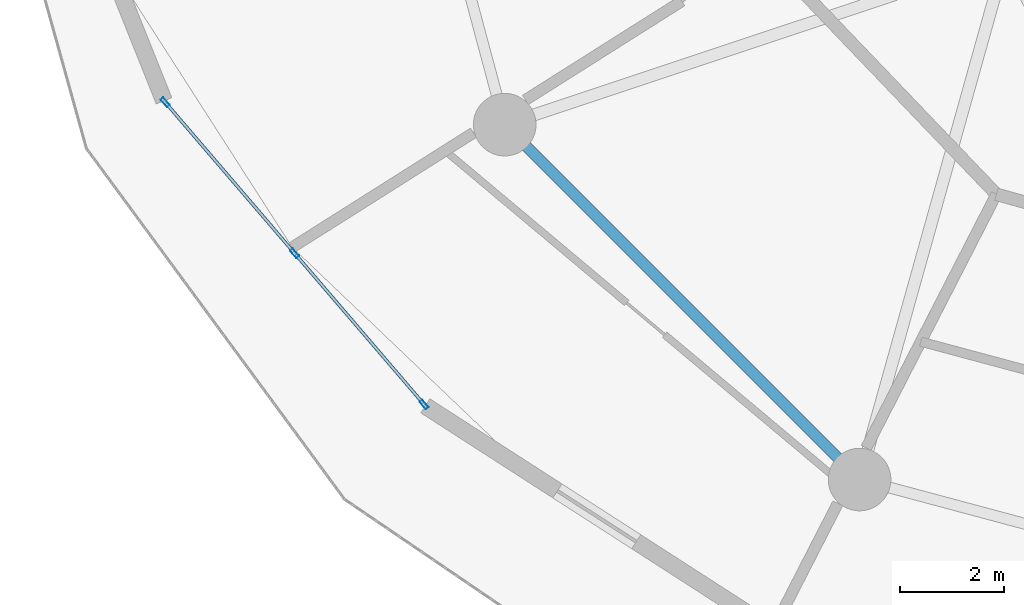
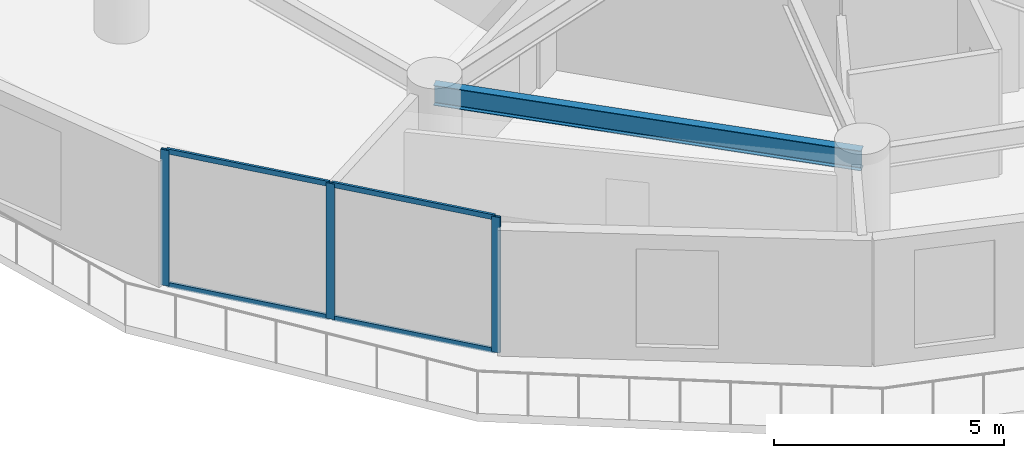
# One storey, part 2 of 23: 7 members, 1 beam, 1 element without a shape of its own.
"""IFC4 building model written with IfcOpenShell, lengths in metres."""

from ifc_helpers import new_model, si_unit, direction, frame, origin, origin_2d, place, context, subcontext, project, spatial, hollow_rectangle, i_section, extrude, source, transform, mapped, material, layer, layer_set, material_profile, profile_set, type_object, element, aggregate, save


model = new_model("IFC4")

# Units and contexts
model_context = context("Model", 3, precision=1e-05, world=origin(), true_north=direction((0.0, 1.0)))
body_context = subcontext(model_context, "Body", "Model", "MODEL_VIEW")
ifc_project = project(units=[si_unit("LENGTHUNIT", "METRE"), si_unit("AREAUNIT", "SQUARE_METRE"), si_unit("VOLUMEUNIT", "CUBIC_METRE"), si_unit("PLANEANGLEUNIT", "RADIAN"), si_unit("MASSUNIT", "GRAM", prefix="KILO")], contexts=[model_context])

# Site, building, storey
site_placement = place(None, origin())
site = spatial("IfcSite", under=ifc_project, at=site_placement, CompositionType="ELEMENT")
building_placement = place(site_placement, origin())
building = spatial("IfcBuilding", under=site, at=building_placement, Name="Solvirekh Grand Hotel", CompositionType="ELEMENT")
storey_placement = place(building_placement, frame((0.0, 0.0, 46.39990234375)))
storey = spatial("IfcBuildingStorey", under=building, at=storey_placement, Name="L10", CompositionType="ELEMENT", Elevation=46.39990234375)

# Beam
ifc_material_1 = material(Name="Steel S355", Category="steel")
ifc_material_profile_1 = material_profile(ifc_material_1, i_section(OverallWidth=0.208984375, OverallDepth=0.532958984375, WebThickness=0.010009765625, FlangeThickness=0.014892578125, FilletRadius=0.013916015625, at=origin_2d()), Name="W530X92")
ifc_profile_set_1 = profile_set([ifc_material_profile_1], Name="Steel S355")
beam_type = type_object("IfcBeamType", Name="Spandrel_Ring_W530", PredefinedType="SPANDREL", material=ifc_profile_set_1)
beam_placement = place(storey_placement, frame((-16.10791015625, -9.300048828125, 3.07421875), z_axis=(0.707106781187, -0.707106781187, 0.0), x_axis=(0.707106781187, 0.707106781187, 0.0)))
element("IfcBeam", 1, at=beam_placement, inside=storey, type_object=beam_type, Name="L10 perimeter spandrel beam 8", PredefinedType="SPANDREL", context=body_context, shape_type="SweptSolid", body=[
    extrude(i_section(OverallWidth=0.208984375, OverallDepth=0.532958984375, WebThickness=0.010009765625, FlangeThickness=0.014892578125, FilletRadius=0.013916015625, at=origin_2d()), origin(), (0.0, 0.0, 1.0), 9.627685546875),
])

# Curtain wall, members
ifc_material_2 = material(Name="Anodized Bronze Aluminium 6063-T6", Category="aluminium")
ifc_layer = layer(ifc_material_2, 0.18994140625)
ifc_layer_set = layer_set([ifc_layer], Name="Anodized Bronze Aluminium 6063-T6")
curtain_wall_type = type_object("IfcCurtainWallType", Name="CW_Sys2_LowZoneFlushBronzeCW", PredefinedType="NOTDEFINED", material=ifc_layer_set)
curtain_wall_placement = place(storey_placement, origin())
curtain_wall = element("IfcCurtainWall", 2, at=curtain_wall_placement, inside=storey, type_object=curtain_wall_type, Name="L10 unitised bronze-glass curtain wall CW-L10-C13", PredefinedType="NOTDEFINED")
ifc_material_profile_2 = material_profile(ifc_material_2, hollow_rectangle(XDim=0.070068359375, YDim=0.18994140625, WallThickness=0.0048828125, at=origin_2d()), Name="ALU RHS 190X70X5")
ifc_profile_set_2 = profile_set([ifc_material_profile_2], Name="Anodized Bronze Aluminium 6063-T6")
member_type_1 = type_object("IfcMemberType", Name="CWMullion_Sys2", PredefinedType="MULLION", material=ifc_profile_set_2)
shared_shape_1 = source(origin(), body_context, "Body", "SweptSolid", [
    extrude(hollow_rectangle(XDim=0.070068359375, YDim=0.18994140625, WallThickness=0.0048828125, at=origin_2d()), origin(), (0.0, 0.0, 1.0), 3.60009765625),
])
member_1_placement = place(storey_placement, frame((-22.621337890625, -8.86865234375, 0.0), z_axis=(0.0, 0.0, 1.0), x_axis=(0.75944894298, 0.650566908939, 0.0)))
member_1 = element("IfcMember", 3, at=member_1_placement, type_object=member_type_1, Name="U02 mullion 1", PredefinedType="MULLION", context=body_context, shape_type="MappedRepresentation", body=[
    mapped(shared_shape_1, transform((0.0, 0.0, 0.0), x_axis=(1.0, 0.0, 0.0), y_axis=(0.0, 1.0, 0.0), z_axis=(0.0, 0.0, 1.0), scale=1.0)),
])
member_2_placement = place(storey_placement, frame((-20.137451171875, -11.76806640625, 0.0), z_axis=(0.0, 0.0, 1.0), x_axis=(0.75944894298, 0.650566908939, 0.0)))
member_2 = element("IfcMember", 4, at=member_2_placement, type_object=member_type_1, Name="U02 mullion 2", PredefinedType="MULLION", context=body_context, shape_type="MappedRepresentation", body=[
    mapped(shared_shape_1, transform((0.0, 0.0, 0.0), x_axis=(1.0, 0.0, 0.0), y_axis=(0.0, 1.0, 0.0), z_axis=(0.0, 0.0, 1.0), scale=1.0)),
])
member_3_placement = place(storey_placement, frame((-17.65380859375, -14.66748046875, 0.0), z_axis=(0.0, 0.0, 1.0), x_axis=(0.75944894298, 0.650566908939, 0.0)))
member_3 = element("IfcMember", 5, at=member_3_placement, type_object=member_type_1, Name="U02 mullion 3", PredefinedType="MULLION", context=body_context, shape_type="MappedRepresentation", body=[
    mapped(shared_shape_1, transform((0.0, 0.0, 0.0), x_axis=(1.0, 0.0, 0.0), y_axis=(0.0, 1.0, 0.0), z_axis=(0.0, 0.0, 1.0), scale=1.0)),
])
ifc_material_profile_3 = material_profile(ifc_material_2, hollow_rectangle(XDim=0.06005859375, YDim=0.135009765625, WallThickness=0.00390625, at=origin_2d()), Name="ALU RHS 135X60X4")
ifc_profile_set_3 = profile_set([ifc_material_profile_3], Name="Anodized Bronze Aluminium 6063-T6")
member_type_2 = type_object("IfcMemberType", Name="CWTransom_Sys2", PredefinedType="USERDEFINED", material=ifc_profile_set_3)
shared_shape_2 = source(origin(), body_context, "Body", "SweptSolid", [
    extrude(hollow_rectangle(XDim=0.06005859375, YDim=0.135009765625, WallThickness=0.00390625, at=origin_2d()), origin(), (0.0, 0.0, 1.0), 3.747802734375),
])
member_4_placement = place(storey_placement, frame((-22.598388671875, -8.895263671875, 0.030029296875), z_axis=(0.650582125085, -0.759435908105, 0.0), x_axis=(0.759435908105, 0.650582125085, 0.0)))
member_4 = element("IfcMember", 6, at=member_4_placement, type_object=member_type_2, Name="U02 transom 1.1", ObjectType="TRANSOM", PredefinedType="USERDEFINED", context=body_context, shape_type="MappedRepresentation", body=[
    mapped(shared_shape_2, transform((0.0, 0.0, 0.0), x_axis=(1.0, 0.0, 0.0), y_axis=(0.0, 1.0, 0.0), z_axis=(0.0, 0.0, 1.0), scale=1.0)),
])
member_5_placement = place(storey_placement, frame((-22.598388671875, -8.895263671875, 3.570068359375), z_axis=(0.650582125085, -0.759435908105, 0.0), x_axis=(0.759435908105, 0.650582125085, 0.0)))
member_5 = element("IfcMember", 7, at=member_5_placement, type_object=member_type_2, Name="U02 transom 1.2", ObjectType="TRANSOM", PredefinedType="USERDEFINED", context=body_context, shape_type="MappedRepresentation", body=[
    mapped(shared_shape_2, transform((0.0, 0.0, 0.0), x_axis=(1.0, 0.0, 0.0), y_axis=(0.0, 1.0, 0.0), z_axis=(0.0, 0.0, 1.0), scale=1.0)),
])
member_6_placement = place(storey_placement, frame((-20.11474609375, -11.794677734375, 0.030029296875), z_axis=(0.650582125085, -0.759435908105, 0.0), x_axis=(0.759435908105, 0.650582125085, 0.0)))
member_6 = element("IfcMember", 8, at=member_6_placement, type_object=member_type_2, Name="U02 transom 2.1", ObjectType="TRANSOM", PredefinedType="USERDEFINED", context=body_context, shape_type="MappedRepresentation", body=[
    mapped(shared_shape_2, transform((0.0, 0.0, 0.0), x_axis=(1.0, 0.0, 0.0), y_axis=(0.0, 1.0, 0.0), z_axis=(0.0, 0.0, 1.0), scale=1.0)),
])
member_7_placement = place(storey_placement, frame((-20.11474609375, -11.794677734375, 3.570068359375), z_axis=(0.650582125085, -0.759435908105, 0.0), x_axis=(0.759435908105, 0.650582125085, 0.0)))
member_7 = element("IfcMember", 9, at=member_7_placement, type_object=member_type_2, Name="U02 transom 2.2", ObjectType="TRANSOM", PredefinedType="USERDEFINED", context=body_context, shape_type="MappedRepresentation", body=[
    mapped(shared_shape_2, transform((0.0, 0.0, 0.0), x_axis=(1.0, 0.0, 0.0), y_axis=(0.0, 1.0, 0.0), z_axis=(0.0, 0.0, 1.0), scale=1.0)),
])
aggregate(curtain_wall, [member_1, member_2, member_3, member_4, member_5, member_6, member_7])

save(model, "model.ifc")
